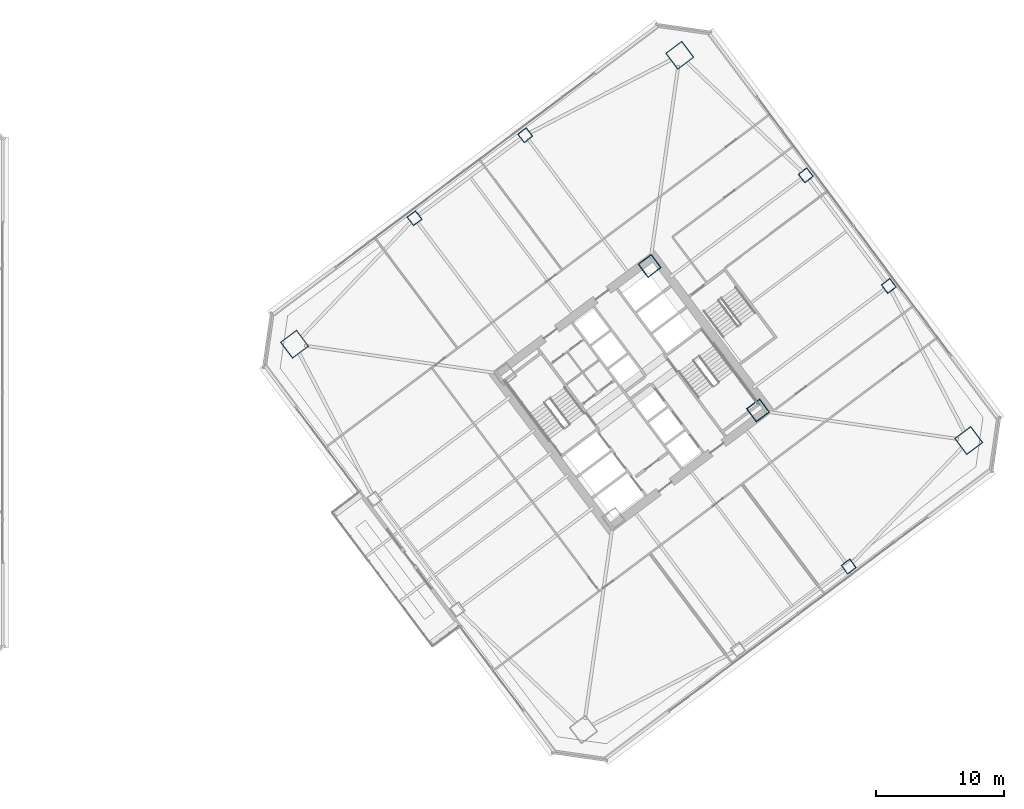
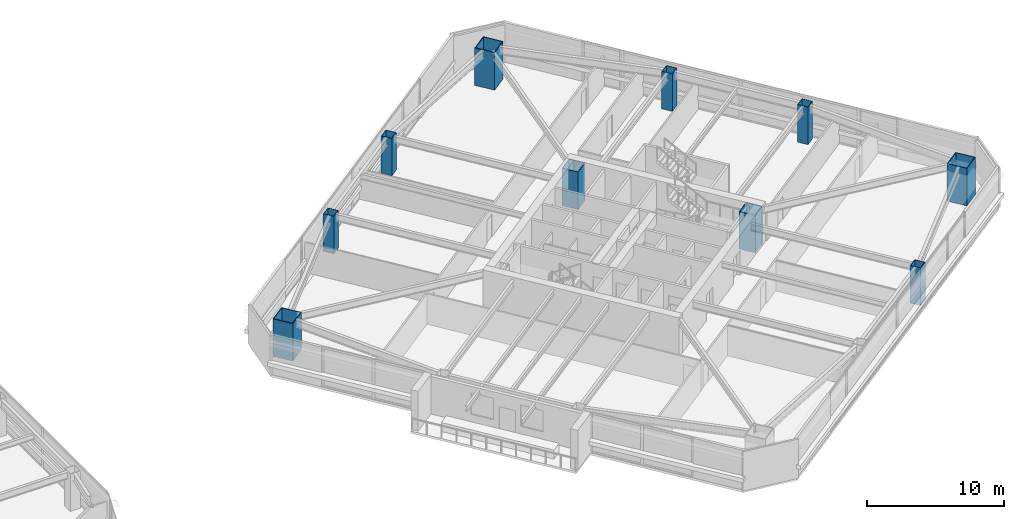
# One storey, part 2 of 46: 10 columns.
"""IFC4 building model written with IfcOpenShell, lengths in metres."""

import ifcopenshell
import ifcopenshell.guid

model = None  # the IFC model being written
_history = None  # IfcOwnerHistory: only IFC2X3 demands one
_inside = {}  # id of a spatial element -> (the spatial element, [elements in it])
_under = {}  # id of a project, library or spatial element -> (it, [spatial elements below it])
_declared = {}  # id of a project -> (the project, [libraries it declares])
_typed = {}  # id of a type object -> (the type object, [elements of that type])
_made_of = {}  # id of a material, layer set ... -> (it, [elements and type objects made of it])


def new_model(schema):
    """Start an empty IFC model of exactly this schema.

    Asked for "IFC4X3", IfcOpenShell would pick the latest addendum, in which some entities
    have other attributes; the version numbers below select the first issue.
    IFC2X3 requires an IfcOwnerHistory on every rooted entity: one is made here for all.
    """
    global model, _history
    if schema == "IFC4X3":
        model = ifcopenshell.file(schema_version=(4, 3, 0, 0))
    else:
        model = ifcopenshell.file(schema=schema)
    _inside.clear()
    _under.clear()
    _declared.clear()
    _typed.clear()
    _made_of.clear()
    _history = None
    if model.schema == "IFC2X3":
        org = make("IfcOrganization", Name="unknown")
        user = make(
            "IfcPersonAndOrganization",
            ThePerson=make("IfcPerson", FamilyName="unknown"),
            TheOrganization=org,
        )
        app = make(
            "IfcApplication",
            ApplicationDeveloper=org,
            Version="unknown",
            ApplicationFullName="unknown",
            ApplicationIdentifier="unknown",
        )
        _history = make(
            "IfcOwnerHistory",
            OwningUser=user,
            OwningApplication=app,
            ChangeAction="ADDED",
            CreationDate=0,
        )
    return model


def make(cls, **values):
    """One entity of the class cls with the attributes given. An attribute that is None is left unset."""
    return model.create_entity(
        cls, **{name: value for name, value in values.items() if value is not None}
    )


def rooted(cls, **values):
    """An entity with a GlobalId (a new one), such as an element, a storey or a relation."""
    return make(cls, GlobalId=ifcopenshell.guid.new(), OwnerHistory=_history, **values)


def si_unit(unit_type, name, prefix=None):
    """IfcSIUnit, for example si_unit("LENGTHUNIT", "METRE", prefix="MILLI")."""
    return make("IfcSIUnit", UnitType=unit_type, Prefix=prefix, Name=name)


def assignment(units):
    """IfcUnitAssignment: the units of a project."""
    return None if units is None else make("IfcUnitAssignment", Units=units)


def point(xyz):
    """IfcCartesianPoint."""
    return None if xyz is None else make("IfcCartesianPoint", Coordinates=xyz)


def direction(xyz):
    """IfcDirection."""
    return None if xyz is None else make("IfcDirection", DirectionRatios=xyz)


def frame(location, z_axis=None, x_axis=None):
    """IfcAxis2Placement3D, a coordinate frame: its origin and axes. An axis left out is left unset."""
    return make(
        "IfcAxis2Placement3D",
        Location=point(location),
        Axis=direction(z_axis),
        RefDirection=direction(x_axis),
    )


def frame_2d(location, x_axis=None):
    """IfcAxis2Placement2D, a coordinate frame in the plane: its origin and x axis."""
    return make(
        "IfcAxis2Placement2D", Location=point(location), RefDirection=direction(x_axis)
    )


def origin():
    """The frame at (0, 0, 0) with its axes left unset."""
    return frame((0.0, 0.0, 0.0))


def origin_2d():
    """The frame at (0, 0) in the plane with its x axis left unset."""
    return frame_2d((0.0, 0.0))


def place(relative_to, where):
    """IfcLocalPlacement: puts the frame where relative to a parent placement (None: the world)."""
    return make(
        "IfcLocalPlacement", PlacementRelTo=relative_to, RelativePlacement=where
    )


def context(
    kind, dimensions, precision=None, world=None, true_north=None, identifier=None
):
    """IfcGeometricRepresentationContext, for example the 3D "Model" context."""
    return make(
        "IfcGeometricRepresentationContext",
        ContextIdentifier=identifier,
        ContextType=kind,
        CoordinateSpaceDimension=dimensions,
        Precision=precision,
        WorldCoordinateSystem=world,
        TrueNorth=true_north,
    )


def subcontext(parent, identifier, kind, view, scale=None):
    """IfcGeometricRepresentationSubContext, for example "Body" below "Model"."""
    return make(
        "IfcGeometricRepresentationSubContext",
        ContextIdentifier=identifier,
        ContextType=kind,
        ParentContext=parent,
        TargetScale=scale,
        TargetView=view,
    )


def project(units=None, contexts=None):
    """IfcProject with its units and contexts."""
    return rooted(
        "IfcProject",
        Name="project",
        RepresentationContexts=contexts,
        UnitsInContext=assignment(units),
    )


def spatial(cls, under=None, at=None, **own):
    """A site, building, storey or space (cls), placed at a placement, below another one or the project."""
    s = rooted(cls, ObjectPlacement=at, **own)
    if under is not None:
        _under.setdefault(under.id(), (under, []))[1].append(s)
    return s


def profile(cls, at=None, kind="AREA", **sizes):
    """A parametric profile (cls). Its sizes go by their IFC names, for example OverallWidth=200.0."""
    return make(cls, ProfileType=kind, Position=at, **sizes)


def hollow_rectangle(**sizes):
    """IfcRectangleHollowProfileDef."""
    return profile("IfcRectangleHollowProfileDef", **sizes)


def extrude(swept, where, along, depth):
    """IfcExtrudedAreaSolid: the profile swept, set in the frame where, extruded along a direction by depth."""
    return make(
        "IfcExtrudedAreaSolid",
        SweptArea=swept,
        Position=where,
        ExtrudedDirection=direction(along),
        Depth=depth,
    )


def shape(context_of_items, identifier, shape_type, items):
    """IfcShapeRepresentation: the items that make up one representation, for example the "Body"."""
    return make(
        "IfcShapeRepresentation",
        ContextOfItems=context_of_items,
        RepresentationIdentifier=identifier,
        RepresentationType=shape_type,
        Items=items,
    )


def material(Name=None, Category=None):
    """IfcMaterial."""
    return make("IfcMaterial", Name=Name, Category=Category)


def material_profile(
    of_material, cross_section, Name=None, Category=None, Priority=None
):
    """IfcMaterialProfile: a cross section and its material."""
    return make(
        "IfcMaterialProfile",
        Name=Name,
        Material=of_material,
        Profile=cross_section,
        Priority=Priority,
        Category=Category,
    )


def profile_set(profiles, Name=None, composite=None):
    """IfcMaterialProfileSet."""
    return make(
        "IfcMaterialProfileSet",
        Name=Name,
        MaterialProfiles=profiles,
        CompositeProfile=composite,
    )


def made_of(thing, what):
    """Note that an element or type object is made of a material, layer set ...; save() writes the relation."""
    if what is not None:
        _made_of.setdefault(what.id(), (what, []))[1].append(thing)
    return thing


def type_object(cls, material=None, **own):
    """A type object (cls), such as IfcWallType, which elements share."""
    return made_of(rooted(cls, **own), material)


def element(
    cls,
    number,
    at=None,
    inside=None,
    cuts=None,
    type_object=None,
    material=None,
    context=None,
    identifier="Body",
    shape_type=None,
    held_by="IfcProductDefinitionShape",
    body=None,
    shapes=None,
    **own,
):
    """One element of the class cls, such as IfcWall. Its Tag is "e" and its number.

    at: its placement. inside: the storey or other place that contains it. cuts: it is an
    opening in that element (IfcRelVoidsElement). A single representation is given by context,
    identifier, shape_type and body (its items); several are given by shapes. held_by: the class
    of the entity that holds the representations. save() writes the other relations.
    """
    e = rooted(cls, Tag="e%d" % number, ObjectPlacement=at, **own)
    if body is not None:
        shapes = [shape(context, identifier, shape_type, body)]
    if shapes is not None:
        e.Representation = make(held_by, Representations=shapes)
    if inside is not None:
        _inside.setdefault(inside.id(), (inside, []))[1].append(e)
    if cuts is not None:
        rooted(
            "IfcRelVoidsElement", RelatingBuildingElement=cuts, RelatedOpeningElement=e
        )
    if type_object is not None:
        _typed.setdefault(type_object.id(), (type_object, []))[1].append(e)
    return made_of(e, material)


def aggregate(whole, parts):
    """IfcRelAggregates: a whole, such as a stair, and the parts it consists of."""
    return rooted("IfcRelAggregates", RelatingObject=whole, RelatedObjects=parts)


def save(model, path):
    """Write the relations noted so far, then the file.

    IfcRelAggregates (storeys below a building ...), IfcRelContainedInSpatialStructure (elements
    in a storey), IfcRelDefinesByType, IfcRelAssociatesMaterial and IfcRelDeclares: one each for
    every whole, place, type object, material and project.
    """
    for whole, parts in _under.values():
        aggregate(whole, parts)
    for where, things in _inside.values():
        rooted(
            "IfcRelContainedInSpatialStructure",
            RelatedElements=things,
            RelatingStructure=where,
        )
    for kind, things in _typed.values():
        rooted("IfcRelDefinesByType", RelatedObjects=things, RelatingType=kind)
    for what, things in _made_of.values():
        rooted("IfcRelAssociatesMaterial", RelatedObjects=things, RelatingMaterial=what)
    for by, libraries in _declared.values():
        rooted("IfcRelDeclares", RelatingContext=by, RelatedDefinitions=libraries)
    model.write(path)


model = new_model("IFC4")

# Units and contexts
model_context = context("Model", 3, precision=1e-05, world=origin(), true_north=direction((0.0, 1.0)))
body_context = subcontext(model_context, "Body", "Model", "MODEL_VIEW")
ifc_project = project(units=[si_unit("LENGTHUNIT", "METRE"), si_unit("AREAUNIT", "SQUARE_METRE"), si_unit("VOLUMEUNIT", "CUBIC_METRE"), si_unit("PLANEANGLEUNIT", "RADIAN"), si_unit("MASSUNIT", "GRAM", prefix="KILO")], contexts=[model_context])

# Site, building, storey
site_placement = place(None, origin())
site = spatial("IfcSite", under=ifc_project, at=site_placement, CompositionType="ELEMENT")
building_placement = place(site_placement, origin())
building = spatial("IfcBuilding", under=site, at=building_placement, Name="Tashvorn Skyway Center", CompositionType="ELEMENT")
storey_placement = place(building_placement, frame((0.0, 0.0, 60.10009765625)))
storey = spatial("IfcBuildingStorey", under=building, at=storey_placement, Name="L15", CompositionType="ELEMENT", Elevation=60.10009765625)

# Columns
ifc_material = material(Name="Steel ASTM A572 Grade 50", Category="steel")
ifc_material_profile_1 = material_profile(ifc_material, hollow_rectangle(XDim=1.300048828125, YDim=1.300048828125, WallThickness=0.050048828125, at=origin_2d()), Name="BOX1300x1300x50")
ifc_profile_set_1 = profile_set([ifc_material_profile_1], Name="Steel ASTM A572 Grade 50")
column_type_1 = type_object("IfcColumnType", Name="COL-BOX1300x1300x50", PredefinedType="COLUMN", material=ifc_profile_set_1)
for number, where, z_axis, x_axis, name in (
    (1, (123.8701171875, 30.590087890625, 0.0), (0.0, 0.0, 1.0), (0.799999996291, 0.600000004945, 0.0), "Tower 2 L15 Core Corner Column CC-SE"),
    (2, (115.409912109375, 41.8701171875, 0.0), (0.0, 0.0, 1.0), (0.799999996291, 0.600000004945, 0.0), "Tower 2 L15 Core Corner Column CC-NE"),
):
    element("IfcColumn", number, at=place(storey_placement, frame(where, z_axis=z_axis, x_axis=x_axis)), inside=storey, type_object=column_type_1, Name=name, PredefinedType="COLUMN", context=body_context, shape_type="SweptSolid", body=[
        extrude(hollow_rectangle(XDim=1.300048828125, YDim=1.300048828125, WallThickness=0.050048828125, at=origin_2d()), origin(), (0.0, 0.0, 1.0), 3.349853515625),
    ])
ifc_material_profile_2 = material_profile(ifc_material, hollow_rectangle(XDim=1.60009765625, YDim=1.60009765625, WallThickness=0.06005859375, at=origin_2d()), Name="BOX1600x1600x60")
ifc_profile_set_2 = profile_set([ifc_material_profile_2], Name="Steel ASTM A572 Grade 50")
column_type_2 = type_object("IfcColumnType", Name="COL-BOX1600x1600x60", PredefinedType="COLUMN", material=ifc_profile_set_2)
for number, where, z_axis, x_axis, name in (
    (3, (140.320068359375, 28.239990234375, 0.0), (0.0, 0.0, 1.0), (0.799999996291, 0.600000004945, 0.0), "Tower 2 L15 Mega-Column MC-SE"),
    (4, (117.760009765625, 58.320068359375, 0.0), (0.0, 0.0, 1.0), (0.799999996291, 0.600000004945, 0.0), "Tower 2 L15 Mega-Column MC-NE"),
    (5, (87.679931640625, 35.760009765625, 0.0), (0.0, 0.0, 1.0), (0.799999996291, 0.600000004945, 0.0), "Tower 2 L15 Mega-Column MC-NW"),
):
    element("IfcColumn", number, at=place(storey_placement, frame(where, z_axis=z_axis, x_axis=x_axis)), inside=storey, type_object=column_type_2, Name=name, PredefinedType="COLUMN", context=body_context, shape_type="SweptSolid", body=[
        extrude(hollow_rectangle(XDim=1.60009765625, YDim=1.60009765625, WallThickness=0.06005859375, at=origin_2d()), origin(), (0.0, 0.0, 1.0), 3.349853515625),
    ])
ifc_material_profile_3 = material_profile(ifc_material, hollow_rectangle(XDim=0.85009765625, YDim=0.85009765625, WallThickness=0.034912109375, at=origin_2d()), Name="BOX850x850x35")
ifc_profile_set_3 = profile_set([ifc_material_profile_3], Name="Steel ASTM A572 Grade 50")
column_type_3 = type_object("IfcColumnType", Name="COL-BOX850x850x35", PredefinedType="COLUMN", material=ifc_profile_set_3)
for number, where, z_axis, x_axis, name in (
    (6, (130.949951171875, 18.39990234375, 0.0), (0.0, 0.0, 1.0), (0.799999996291, 0.600000004945, 0.0), "Tower 2 L15 Perimeter Column FC-S2"),
    (7, (134.080078125, 40.31005859375, 0.0), (0.0, 0.0, 1.0), (0.799999996291, 0.600000004945, 0.0), "Tower 2 L15 Perimeter Column FC-E1"),
    (8, (127.60009765625, 48.949951171875, 0.0), (0.0, 0.0, 1.0), (0.799999996291, 0.600000004945, 0.0), "Tower 2 L15 Perimeter Column FC-E2"),
    (9, (105.68994140625, 52.080078125, 0.0), (0.0, 0.0, 1.0), (0.799999996291, 0.600000004945, 0.0), "Tower 2 L15 Perimeter Column FC-N1"),
    (10, (97.050048828125, 45.60009765625, 0.0), (0.0, 0.0, 1.0), (0.799999996291, 0.600000004945, 0.0), "Tower 2 L15 Perimeter Column FC-N2"),
):
    element("IfcColumn", number, at=place(storey_placement, frame(where, z_axis=z_axis, x_axis=x_axis)), inside=storey, type_object=column_type_3, Name=name, PredefinedType="COLUMN", context=body_context, shape_type="SweptSolid", body=[
        extrude(hollow_rectangle(XDim=0.85009765625, YDim=0.85009765625, WallThickness=0.034912109375, at=origin_2d()), origin(), (0.0, 0.0, 1.0), 3.349853515625),
    ])

save(model, "model.ifc")
